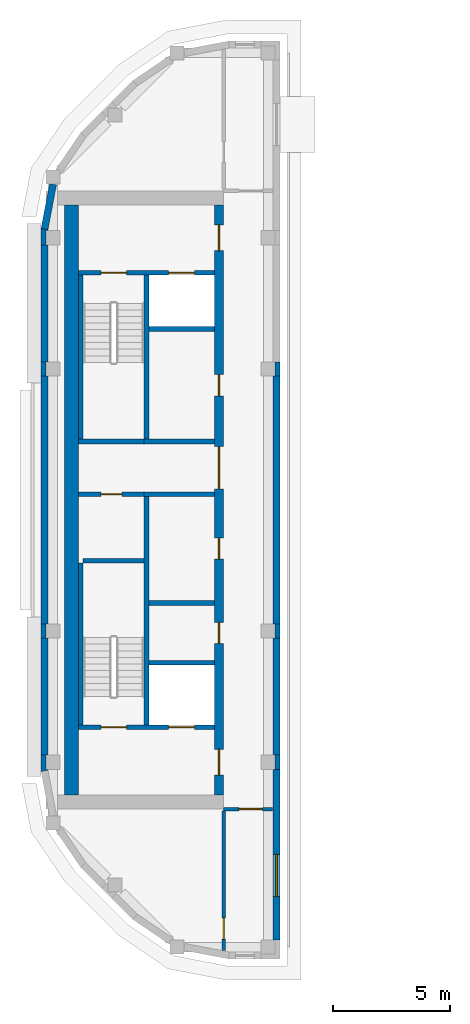
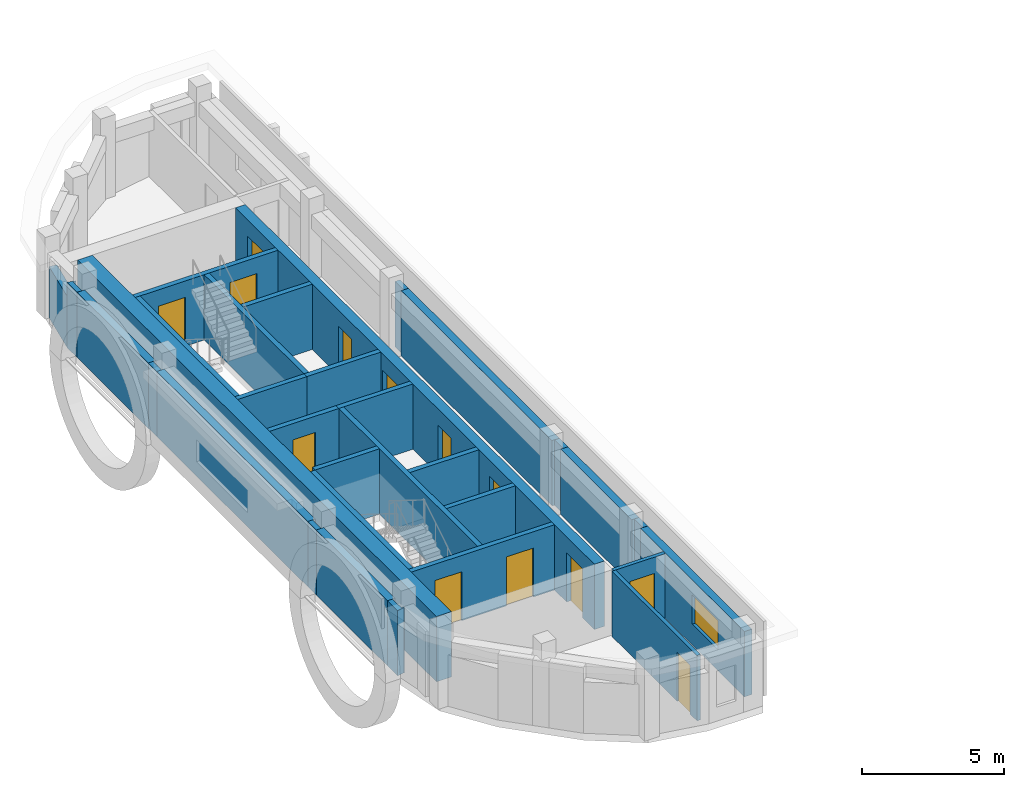
# One storey, part 2 of 12: 32 walls, 13 doors, 1 window, 14 openings.
"""IFC4 building model written with IfcOpenShell, lengths in metres."""

from ifc_helpers import new_model, si_unit, direction, frame, frame_2d, origin, place, context, subcontext, project, spatial, polyline, rectangle, outline, extrude, material, layer, layer_set, type_object, element, fill, save


model = new_model("IFC4")

# Units and contexts
model_context = context("Model", 3, precision=1e-05, world=origin(), true_north=direction((0.0, 1.0)))
body_context = subcontext(model_context, "Body", "Model", "MODEL_VIEW")
ifc_project = project(units=[si_unit("LENGTHUNIT", "METRE"), si_unit("AREAUNIT", "SQUARE_METRE"), si_unit("VOLUMEUNIT", "CUBIC_METRE"), si_unit("PLANEANGLEUNIT", "RADIAN"), si_unit("MASSUNIT", "GRAM", prefix="KILO")], contexts=[model_context])

# Site, building, storey
site_placement = place(None, origin())
site = spatial("IfcSite", under=ifc_project, at=site_placement, CompositionType="ELEMENT")
building_placement = place(site_placement, origin())
building = spatial("IfcBuilding", under=site, at=building_placement, Name="Kiln Ring Residences", CompositionType="ELEMENT")
storey_placement = place(building_placement, frame((0.0, 0.0, 310.39990234375)))
storey = spatial("IfcBuildingStorey", under=building, at=storey_placement, Name="L80 Crown", CompositionType="ELEMENT", Elevation=310.39990234375)

# Wall, opening, door
ifc_material_1 = material(Name="Gypsum board on steel studs", Category="steel")
ifc_layer_1 = layer(ifc_material_1, 0.199951171875)
ifc_layer_set_1 = layer_set([ifc_layer_1], Name="CORE-PARTITION-200")
wall_type_1 = type_object("IfcWallType", Name="CORE-PARTITION-200", PredefinedType="PARTITIONING", material=ifc_layer_set_1)
wall_1_placement = place(storey_placement, frame((-20.800048828125, 0.25, 0.0), z_axis=(0.0, 0.0, 1.0), x_axis=(-1.0, 0.0, 0.0)))
wall_1 = element("IfcWall", 1, at=wall_1_placement, inside=storey, type_object=wall_type_1, Name="Core partition west L80 Crown 1", PredefinedType="PARTITIONING", context=body_context, shape_type="SweptSolid", body=[
    extrude(rectangle(XDim=2.800048828125, YDim=0.199951171875, at=frame_2d((1.39990234375, 0.0))), origin(), (0.0, 0.0, 1.0), 2.800048828125),
])
opening_1_placement = place(wall_1_placement, frame((0.949951171875, 0.0, 0.0)))
opening_1 = element("IfcOpeningElement", 2, at=opening_1_placement, cuts=wall_1, Name="Opening L80-CW11", PredefinedType="OPENING", context=body_context, shape_type="SweptSolid", body=[
    extrude(rectangle(XDim=0.89990234375, YDim=2.10009765625, at=frame_2d((0.449951171875, 1.050048828125))), frame((0.0, 0.10986328125, 0.0), z_axis=(0.0, -1.0, 0.0), x_axis=(1.0, 0.0, 0.0)), (0.0, 0.0, 1.0), 0.219970703125),
])
ifc_material_2 = material(Name="Steel door leaf", Category="steel")
door_type_1 = type_object("IfcDoorType", Name="CORE-DOOR-ROOM", OperationType="SINGLE_SWING_LEFT", PredefinedType="DOOR", material=ifc_material_2)
door_1_placement = place(opening_1_placement, origin())
door_1 = element("IfcDoor", 3, at=door_1_placement, inside=storey, type_object=door_type_1, Name="Electrical riser room L80-CW11", OperationType="SINGLE_SWING_LEFT", OverallHeight=2.10009765625, OverallWidth=0.89990234375, PredefinedType="DOOR", context=body_context, shape_type="SweptSolid", body=[
    extrude(rectangle(XDim=0.89990234375, YDim=2.10009765625, at=frame_2d((0.449951171875, 1.050048828125))), frame((0.0, 0.02490234375, 0.0), z_axis=(0.0, -1.0, 0.0), x_axis=(1.0, 0.0, 0.0)), (0.0, 0.0, 1.0), 0.050048828125),
])
fill(opening_1, door_1)

# Walls
wall_2_placement = place(storey_placement, frame((-17.800048828125, -4.39990234375, 0.0), z_axis=(0.0, 0.0, 1.0), x_axis=(-1.0, 0.0, 0.0)))
element("IfcWall", 4, at=wall_2_placement, inside=storey, type_object=wall_type_1, Name="Core partition west L80 Crown 2", PredefinedType="PARTITIONING", context=body_context, shape_type="SweptSolid", body=[
    extrude(rectangle(XDim=2.800048828125, YDim=0.199951171875, at=frame_2d((1.39990234375, 0.0))), origin(), (0.0, 0.0, 1.0), 2.800048828125),
])
ifc_material_3 = material(Name="Gypsum shaft wall system")
ifc_layer_2 = layer(ifc_material_3, 0.199951171875)
ifc_layer_set_2 = layer_set([ifc_layer_2], Name="CORE-SHAFT-WALL-200")
wall_type_2 = type_object("IfcWallType", Name="CORE-SHAFT-WALL-200", PredefinedType="PARTITIONING", material=ifc_layer_set_2)
wall_3_placement = place(storey_placement, frame((-17.800048828125, -6.949951171875, 0.0), z_axis=(0.0, 0.0, 1.0), x_axis=(-1.0, 0.0, 0.0)))
element("IfcWall", 5, at=wall_3_placement, inside=storey, type_object=wall_type_2, Name="Core partition west L80 Crown 3", PredefinedType="PARTITIONING", context=body_context, shape_type="SweptSolid", body=[
    extrude(rectangle(XDim=2.800048828125, YDim=0.199951171875, at=frame_2d((1.39990234375, 0.0))), origin(), (0.0, 0.0, 1.0), 2.800048828125),
])
for number, where, z_axis, x_axis, name in (
    (6, (-17.800048828125, 0.25, 0.0), (0.0, 0.0, 1.0), (-1.0, 0.0, 0.0), "Core partition west L80 Crown 4"),
    (7, (-17.800048828125, 2.5, 0.0), (0.0, 0.0, 1.0), (-1.0, 0.0, 0.0), "Core partition west L80 Crown 5"),
):
    element("IfcWall", number, at=place(storey_placement, frame(where, z_axis=z_axis, x_axis=x_axis)), inside=storey, type_object=wall_type_2, Name=name, PredefinedType="PARTITIONING", context=body_context, shape_type="SweptSolid", body=[
        extrude(rectangle(XDim=3.0, YDim=0.199951171875, at=frame_2d((1.5, 0.0))), origin(), (0.0, 0.0, 1.0), 2.800048828125),
    ])
wall_4_placement = place(storey_placement, frame((-17.800048828125, 7.300048828125, 0.0), z_axis=(0.0, 0.0, 1.0), x_axis=(-1.0, 0.0, 0.0)))
element("IfcWall", 8, at=wall_4_placement, inside=storey, type_object=wall_type_2, Name="Core partition west L80 Crown 6", PredefinedType="PARTITIONING", context=body_context, shape_type="SweptSolid", body=[
    extrude(rectangle(XDim=2.800048828125, YDim=0.199951171875, at=frame_2d((1.39990234375, 0.0))), origin(), (0.0, 0.0, 1.0), 2.800048828125),
])
ifc_material_4 = material(Name="Concrete C40/50", Category="concrete")
ifc_layer_3 = layer(ifc_material_4, 0.199951171875)
ifc_layer_set_3 = layer_set([ifc_layer_3], Name="CORE-WALL-RC200")
wall_type_3 = type_object("IfcWallType", Name="CORE-WALL-RC200", PredefinedType="SHEAR", material=ifc_layer_set_3)
wall_5_placement = place(storey_placement, frame((-20.699951171875, 2.60009765625, 0.0), z_axis=(0.0, 0.0, 1.0), x_axis=(0.0, 1.0, 0.0)))
element("IfcWall", 9, at=wall_5_placement, inside=storey, type_object=wall_type_3, Name="Core wall west L80 Crown 1", PredefinedType="SHEAR", context=body_context, shape_type="SweptSolid", body=[
    extrude(rectangle(XDim=7.0, YDim=0.199951171875, at=frame_2d((3.5, 0.0))), origin(), (0.0, 0.0, 1.0), 2.800048828125),
])
wall_6_placement = place(storey_placement, frame((-20.699951171875, -9.60009765625, 0.0), z_axis=(0.0, 0.0, 1.0), x_axis=(0.0, 1.0, 0.0)))
element("IfcWall", 10, at=wall_6_placement, inside=storey, type_object=wall_type_3, Name="Core wall west L80 Crown 2", PredefinedType="SHEAR", context=body_context, shape_type="SweptSolid", body=[
    extrude(rectangle(XDim=9.75, YDim=0.199951171875, at=frame_2d((4.875, 0.0))), origin(), (0.0, 0.0, 1.0), 2.800048828125),
])
wall_7_placement = place(storey_placement, frame((-20.800048828125, 2.5, 0.0), z_axis=(0.0, 0.0, 1.0), x_axis=(-1.0, 0.0, 0.0)))
element("IfcWall", 11, at=wall_7_placement, inside=storey, type_object=wall_type_3, Name="Core wall west L80 Crown 3", PredefinedType="SHEAR", context=body_context, shape_type="SweptSolid", body=[
    extrude(rectangle(XDim=2.800048828125, YDim=0.199951171875, at=frame_2d((1.39990234375, 0.0))), origin(), (0.0, 0.0, 1.0), 2.800048828125),
])

# Wall, openings, doors
wall_8_placement = place(storey_placement, frame((-17.800048828125, -9.699951171875, 0.0), z_axis=(0.0, 0.0, 1.0), x_axis=(-1.0, 0.0, 0.0)))
wall_8 = element("IfcWall", 12, at=wall_8_placement, inside=storey, type_object=wall_type_3, Name="Core wall west L80 Crown 8", PredefinedType="SHEAR", context=body_context, shape_type="SweptSolid", body=[
    extrude(rectangle(XDim=5.800048828125, YDim=0.199951171875, at=frame_2d((2.89990234375, 0.0))), origin(), (0.0, 0.0, 1.0), 2.800048828125),
])
opening_2_placement = place(wall_8_placement, frame((0.85009765625, 0.0, 0.0)))
opening_2 = element("IfcOpeningElement", 13, at=opening_2_placement, cuts=wall_8, Name="Opening L80-CW01", PredefinedType="OPENING", context=body_context, shape_type="SweptSolid", body=[
    extrude(rectangle(XDim=1.10009765625, YDim=2.10009765625, at=frame_2d((0.550048828125, 1.050048828125))), frame((0.0, 0.10986328125, 0.0), z_axis=(0.0, -1.0, 0.0), x_axis=(1.0, 0.0, 0.0)), (0.0, 0.0, 1.0), 0.219970703125),
])
opening_3_placement = place(wall_8_placement, frame((3.75, 0.0, 0.0)))
opening_3 = element("IfcOpeningElement", 14, at=opening_3_placement, cuts=wall_8, Name="Opening L80-CW09", PredefinedType="OPENING", context=body_context, shape_type="SweptSolid", body=[
    extrude(rectangle(XDim=1.10009765625, YDim=2.10009765625, at=frame_2d((0.550048828125, 1.050048828125))), frame((0.0, 0.10986328125, 0.0), z_axis=(0.0, -1.0, 0.0), x_axis=(1.0, 0.0, 0.0)), (0.0, 0.0, 1.0), 0.219970703125),
])
ifc_material_5 = material(Name="Steel door leaf", Category="steel")
door_type_2 = type_object("IfcDoorType", Name="CORE-DOOR-LD", OperationType="DOUBLE_DOOR_SLIDING", PredefinedType="DOOR", material=ifc_material_5)
door_2_placement = place(opening_2_placement, origin())
door_2 = element("IfcDoor", 15, at=door_2_placement, inside=storey, type_object=door_type_2, Name="LD W-SV L80-CW01", OperationType="DOUBLE_DOOR_SLIDING", OverallHeight=2.10009765625, OverallWidth=1.10009765625, PredefinedType="DOOR", context=body_context, shape_type="SweptSolid", body=[
    extrude(rectangle(XDim=1.10009765625, YDim=2.10009765625, at=frame_2d((0.550048828125, 1.050048828125))), frame((0.0, 0.02490234375, 0.0), z_axis=(0.0, -1.0, 0.0), x_axis=(1.0, 0.0, 0.0)), (0.0, 0.0, 1.0), 0.050048828125),
])
fill(opening_2, door_2)
ifc_material_6 = material(Name="Steel door leaf", Category="steel")
door_type_3 = type_object("IfcDoorType", Name="CORE-DOOR-STAIR", OperationType="SINGLE_SWING_LEFT", PredefinedType="DOOR", material=ifc_material_6)
door_3_placement = place(opening_3_placement, origin())
door_3 = element("IfcDoor", 16, at=door_3_placement, inside=storey, type_object=door_type_3, Name="Stair W-STS L80-CW09", OperationType="SINGLE_SWING_RIGHT", OverallHeight=2.10009765625, OverallWidth=1.10009765625, PredefinedType="DOOR", context=body_context, shape_type="SweptSolid", body=[
    extrude(rectangle(XDim=1.10009765625, YDim=2.10009765625, at=frame_2d((0.550048828125, 1.050048828125))), frame((0.0, 0.02490234375, 0.0), z_axis=(0.0, -1.0, 0.0), x_axis=(1.0, 0.0, 0.0)), (0.0, 0.0, 1.0), 0.050048828125),
])
fill(opening_3, door_3)

wall_9_placement = place(storey_placement, frame((-17.800048828125, 9.699951171875, 0.0), z_axis=(0.0, 0.0, 1.0), x_axis=(-1.0, 0.0, 0.0)))
wall_9 = element("IfcWall", 17, at=wall_9_placement, inside=storey, type_object=wall_type_3, Name="Core wall west L80 Crown 9", PredefinedType="SHEAR", context=body_context, shape_type="SweptSolid", body=[
    extrude(rectangle(XDim=5.800048828125, YDim=0.199951171875, at=frame_2d((2.89990234375, 0.0))), origin(), (0.0, 0.0, 1.0), 2.800048828125),
])
opening_4_placement = place(wall_9_placement, frame((0.85009765625, 0.0, 0.0)))
opening_4 = element("IfcOpeningElement", 18, at=opening_4_placement, cuts=wall_9, Name="Opening L80-CW05", PredefinedType="OPENING", context=body_context, shape_type="SweptSolid", body=[
    extrude(rectangle(XDim=1.10009765625, YDim=2.10009765625, at=frame_2d((0.550048828125, 1.050048828125))), frame((0.0, 0.10986328125, 0.0), z_axis=(0.0, -1.0, 0.0), x_axis=(1.0, 0.0, 0.0)), (0.0, 0.0, 1.0), 0.219970703125),
])
opening_5_placement = place(wall_9_placement, frame((3.75, 0.0, 0.0)))
opening_5 = element("IfcOpeningElement", 19, at=opening_5_placement, cuts=wall_9, Name="Opening L80-CW08", PredefinedType="OPENING", context=body_context, shape_type="SweptSolid", body=[
    extrude(rectangle(XDim=1.10009765625, YDim=2.10009765625, at=frame_2d((0.550048828125, 1.050048828125))), frame((0.0, 0.10986328125, 0.0), z_axis=(0.0, -1.0, 0.0), x_axis=(1.0, 0.0, 0.0)), (0.0, 0.0, 1.0), 0.219970703125),
])
door_4_placement = place(opening_4_placement, origin())
door_4 = element("IfcDoor", 20, at=door_4_placement, inside=storey, type_object=door_type_2, Name="LD W-FF L80-CW05", OperationType="DOUBLE_DOOR_SLIDING", OverallHeight=2.10009765625, OverallWidth=1.10009765625, PredefinedType="DOOR", context=body_context, shape_type="SweptSolid", body=[
    extrude(rectangle(XDim=1.10009765625, YDim=2.10009765625, at=frame_2d((0.550048828125, 1.050048828125))), frame((0.0, 0.02490234375, 0.0), z_axis=(0.0, -1.0, 0.0), x_axis=(1.0, 0.0, 0.0)), (0.0, 0.0, 1.0), 0.050048828125),
])
fill(opening_4, door_4)
door_5_placement = place(opening_5_placement, origin())
door_5 = element("IfcDoor", 21, at=door_5_placement, inside=storey, type_object=door_type_3, Name="Stair W-STN L80-CW08", OperationType="SINGLE_SWING_RIGHT", OverallHeight=2.10009765625, OverallWidth=1.10009765625, PredefinedType="DOOR", context=body_context, shape_type="SweptSolid", body=[
    extrude(rectangle(XDim=1.10009765625, YDim=2.10009765625, at=frame_2d((0.550048828125, 1.050048828125))), frame((0.0, 0.02490234375, 0.0), z_axis=(0.0, -1.0, 0.0), x_axis=(1.0, 0.0, 0.0)), (0.0, 0.0, 1.0), 0.050048828125),
])
fill(opening_5, door_5)

# Walls
wall_10_placement = place(storey_placement, frame((-23.5, 2.60009765625, 0.0), z_axis=(0.0, 0.0, 1.0), x_axis=(0.0, 1.0, 0.0)))
element("IfcWall", 22, at=wall_10_placement, inside=storey, type_object=wall_type_3, Name="Core wall west L80 Crown 10", PredefinedType="SHEAR", context=body_context, shape_type="SweptSolid", body=[
    extrude(rectangle(XDim=7.0, YDim=0.199951171875, at=frame_2d((3.5, 0.0))), origin(), (0.0, 0.0, 1.0), 2.800048828125),
])
wall_11_placement = place(storey_placement, frame((-23.5, -9.60009765625, 0.0), z_axis=(0.0, 0.0, 1.0), x_axis=(0.0, 1.0, 0.0)))
element("IfcWall", 23, at=wall_11_placement, inside=storey, type_object=wall_type_3, Name="Core wall west L80 Crown 11", PredefinedType="SHEAR", context=body_context, shape_type="SweptSolid", body=[
    extrude(rectangle(XDim=6.900146484375, YDim=0.199951171875, at=frame_2d((3.4501953125, 0.0))), origin(), (0.0, 0.0, 1.0), 2.800048828125),
])
wall_12_placement = place(storey_placement, frame((-20.800048828125, -2.60009765625, 0.0), z_axis=(0.0, 0.0, 1.0), x_axis=(-1.0, 0.0, 0.0)))
element("IfcWall", 24, at=wall_12_placement, inside=storey, type_object=wall_type_3, Name="Core wall west L80 Crown 12", PredefinedType="SHEAR", context=body_context, shape_type="SweptSolid", body=[
    extrude(rectangle(XDim=2.599853515625, YDim=0.199951171875, at=frame_2d((1.2998046875, 0.0))), origin(), (0.0, 0.0, 1.0), 2.800048828125),
])

# Wall, openings, doors
ifc_material_7 = material(Name="Concrete C60/75", Category="concrete")
ifc_layer_4 = layer(ifc_material_7, 0.39990234375)
ifc_layer_set_4 = layer_set([ifc_layer_4], Name="CORE-WALL-RC400")
wall_type_4 = type_object("IfcWallType", Name="CORE-WALL-RC400", PredefinedType="SHEAR", material=ifc_layer_set_4)
wall_13_placement = place(storey_placement, frame((-17.60009765625, -12.60009765625, 0.0), z_axis=(0.0, 0.0, 1.0), x_axis=(0.0, 1.0, 0.0)))
wall_13 = element("IfcWall", 25, at=wall_13_placement, inside=storey, type_object=wall_type_4, Name="Core wall west L80 Crown 6", PredefinedType="SHEAR", context=body_context, shape_type="SweptSolid", body=[
    extrude(rectangle(XDim=25.2001953125, YDim=0.39990234375, at=frame_2d((12.60009765625, 0.0))), origin(), (0.0, 0.0, 1.0), 2.800048828125),
])
opening_6_placement = place(wall_13_placement, frame((6.47509765625, 0.0, 0.0)))
opening_6 = element("IfcOpeningElement", 26, at=opening_6_placement, cuts=wall_13, Name="Opening L80-CW02", PredefinedType="OPENING", context=body_context, shape_type="SweptSolid", body=[
    extrude(rectangle(XDim=0.89990234375, YDim=2.10009765625, at=frame_2d((0.449951171875, 1.050048828125))), frame((0.0, 0.2099609375, 0.0), z_axis=(0.0, -1.0, 0.0), x_axis=(1.0, 0.0, 0.0)), (0.0, 0.0, 1.0), 0.419921875),
])
opening_7_placement = place(wall_13_placement, frame((10.074951171875, 0.0, 0.0)))
opening_7 = element("IfcOpeningElement", 27, at=opening_7_placement, cuts=wall_13, Name="Opening L80-CW03", PredefinedType="OPENING", context=body_context, shape_type="SweptSolid", body=[
    extrude(rectangle(XDim=0.89990234375, YDim=2.10009765625, at=frame_2d((0.449951171875, 1.050048828125))), frame((0.0, 0.2099609375, 0.0), z_axis=(0.0, -1.0, 0.0), x_axis=(1.0, 0.0, 0.0)), (0.0, 0.0, 1.0), 0.419921875),
])
opening_8_placement = place(wall_13_placement, frame((17.050048828125, 0.0, 0.0)))
opening_8 = element("IfcOpeningElement", 28, at=opening_8_placement, cuts=wall_13, Name="Opening L80-CW04", PredefinedType="OPENING", context=body_context, shape_type="SweptSolid", body=[
    extrude(rectangle(XDim=0.89990234375, YDim=2.10009765625, at=frame_2d((0.449951171875, 1.050048828125))), frame((0.0, 0.2099609375, 0.0), z_axis=(0.0, -1.0, 0.0), x_axis=(1.0, 0.0, 0.0)), (0.0, 0.0, 1.0), 0.419921875),
])
opening_9_placement = place(wall_13_placement, frame((23.25, 0.0, 0.0)))
opening_9 = element("IfcOpeningElement", 29, at=opening_9_placement, cuts=wall_13, Name="Opening L80-CW06", PredefinedType="OPENING", context=body_context, shape_type="SweptSolid", body=[
    extrude(rectangle(XDim=1.10009765625, YDim=2.10009765625, at=frame_2d((0.550048828125, 1.050048828125))), frame((0.0, 0.2099609375, 0.0), z_axis=(0.0, -1.0, 0.0), x_axis=(1.0, 0.0, 0.0)), (0.0, 0.0, 1.0), 0.419921875),
])
opening_10_placement = place(wall_13_placement, frame((0.85009765625, 0.0, 0.0)))
opening_10 = element("IfcOpeningElement", 30, at=opening_10_placement, cuts=wall_13, Name="Opening L80-CW07", PredefinedType="OPENING", context=body_context, shape_type="SweptSolid", body=[
    extrude(rectangle(XDim=1.10009765625, YDim=2.10009765625, at=frame_2d((0.550048828125, 1.050048828125))), frame((0.0, 0.2099609375, 0.0), z_axis=(0.0, -1.0, 0.0), x_axis=(1.0, 0.0, 0.0)), (0.0, 0.0, 1.0), 0.419921875),
])
opening_11_placement = place(wall_13_placement, frame((13.074951171875, 0.0, 0.0)))
opening_11 = element("IfcOpeningElement", 31, at=opening_11_placement, cuts=wall_13, Name="Opening L80-CW10", PredefinedType="OPENING", context=body_context, shape_type="SweptSolid", body=[
    extrude(rectangle(XDim=1.800048828125, YDim=2.10009765625, at=frame_2d((0.89990234375, 1.050048828125))), frame((0.0, 0.2099609375, 0.0), z_axis=(0.0, -1.0, 0.0), x_axis=(1.0, 0.0, 0.0)), (0.0, 0.0, 1.0), 0.419921875),
])
ifc_material_8 = material(Name="Steel door leaf", Category="steel")
door_type_4 = type_object("IfcDoorType", Name="CORE-DOOR-LOBBY", OperationType="SINGLE_SWING_LEFT", PredefinedType="DOOR", material=ifc_material_8)
door_6_placement = place(opening_9_placement, origin())
door_6 = element("IfcDoor", 32, at=door_6_placement, inside=storey, type_object=door_type_4, Name="FFL L80-CW06", OperationType="SINGLE_SWING_LEFT", OverallHeight=2.10009765625, OverallWidth=1.10009765625, PredefinedType="DOOR", context=body_context, shape_type="SweptSolid", body=[
    extrude(rectangle(XDim=1.10009765625, YDim=2.10009765625, at=frame_2d((0.550048828125, 1.050048828125))), frame((0.0, 0.02490234375, 0.0), z_axis=(0.0, -1.0, 0.0), x_axis=(1.0, 0.0, 0.0)), (0.0, 0.0, 1.0), 0.050048828125),
])
fill(opening_9, door_6)
door_7_placement = place(opening_10_placement, origin())
door_7 = element("IfcDoor", 33, at=door_7_placement, inside=storey, type_object=door_type_4, Name="SVL L80-CW07", OperationType="SINGLE_SWING_RIGHT", OverallHeight=2.10009765625, OverallWidth=1.10009765625, PredefinedType="DOOR", context=body_context, shape_type="SweptSolid", body=[
    extrude(rectangle(XDim=1.10009765625, YDim=2.10009765625, at=frame_2d((0.550048828125, 1.050048828125))), frame((0.0, 0.02490234375, 0.0), z_axis=(0.0, -1.0, 0.0), x_axis=(1.0, 0.0, 0.0)), (0.0, 0.0, 1.0), 0.050048828125),
])
fill(opening_10, door_7)
ifc_material_9 = material(Name="Steel door leaf", Category="steel")
door_type_5 = type_object("IfcDoorType", Name="CORE-DOOR-PASS", OperationType="DOUBLE_DOOR_SINGLE_SWING", PredefinedType="DOOR", material=ifc_material_9)
door_8_placement = place(opening_11_placement, origin())
door_8 = element("IfcDoor", 34, at=door_8_placement, inside=storey, type_object=door_type_5, Name="Core passage L80-CW10", OperationType="DOUBLE_DOOR_SINGLE_SWING", OverallHeight=2.10009765625, OverallWidth=1.800048828125, PredefinedType="DOOR", context=body_context, shape_type="SweptSolid", body=[
    extrude(rectangle(XDim=1.800048828125, YDim=2.10009765625, at=frame_2d((0.89990234375, 1.050048828125))), frame((0.0, 0.02490234375, 0.0), z_axis=(0.0, -1.0, 0.0), x_axis=(1.0, 0.0, 0.0)), (0.0, 0.0, 1.0), 0.050048828125),
])
fill(opening_11, door_8)
door_9_placement = place(opening_6_placement, origin())
door_9 = element("IfcDoor", 35, at=door_9_placement, inside=storey, type_object=door_type_1, Name="Goods store L80-CW02", OperationType="SINGLE_SWING_RIGHT", OverallHeight=2.10009765625, OverallWidth=0.89990234375, PredefinedType="DOOR", context=body_context, shape_type="SweptSolid", body=[
    extrude(rectangle(XDim=0.89990234375, YDim=2.10009765625, at=frame_2d((0.449951171875, 1.050048828125))), frame((0.0, 0.02490234375, 0.0), z_axis=(0.0, -1.0, 0.0), x_axis=(1.0, 0.0, 0.0)), (0.0, 0.0, 1.0), 0.050048828125),
])
fill(opening_6, door_9)
door_10_placement = place(opening_7_placement, origin())
door_10 = element("IfcDoor", 36, at=door_10_placement, inside=storey, type_object=door_type_1, Name="Storage room L80-CW03", OperationType="SINGLE_SWING_LEFT", OverallHeight=2.10009765625, OverallWidth=0.89990234375, PredefinedType="DOOR", context=body_context, shape_type="SweptSolid", body=[
    extrude(rectangle(XDim=0.89990234375, YDim=2.10009765625, at=frame_2d((0.449951171875, 1.050048828125))), frame((0.0, 0.02490234375, 0.0), z_axis=(0.0, -1.0, 0.0), x_axis=(1.0, 0.0, 0.0)), (0.0, 0.0, 1.0), 0.050048828125),
])
fill(opening_7, door_10)
door_11_placement = place(opening_8_placement, origin())
door_11 = element("IfcDoor", 37, at=door_11_placement, inside=storey, type_object=door_type_1, Name="Housekeeping store L80-CW04", OperationType="SINGLE_SWING_RIGHT", OverallHeight=2.10009765625, OverallWidth=0.89990234375, PredefinedType="DOOR", context=body_context, shape_type="SweptSolid", body=[
    extrude(rectangle(XDim=0.89990234375, YDim=2.10009765625, at=frame_2d((0.449951171875, 1.050048828125))), frame((0.0, 0.02490234375, 0.0), z_axis=(0.0, -1.0, 0.0), x_axis=(1.0, 0.0, 0.0)), (0.0, 0.0, 1.0), 0.050048828125),
])
fill(opening_8, door_11)

# Wall
ifc_material_10 = material(Name="Concrete C60/75", Category="concrete")
ifc_layer_5 = layer(ifc_material_10, 0.60009765625)
ifc_layer_set_5 = layer_set([ifc_layer_5], Name="CORE-WALL-RC600")
wall_type_5 = type_object("IfcWallType", Name="CORE-WALL-RC600", PredefinedType="SHEAR", material=ifc_layer_set_5)
wall_14_placement = place(storey_placement, frame((-23.89990234375, -12.60009765625, 0.0), z_axis=(0.0, 0.0, 1.0), x_axis=(0.0, 1.0, 0.0)))
element("IfcWall", 38, at=wall_14_placement, inside=storey, type_object=wall_type_5, Name="Core wall west L80 Crown 7", PredefinedType="SHEAR", context=body_context, shape_type="SweptSolid", body=[
    extrude(rectangle(XDim=25.2001953125, YDim=0.60009765625, at=frame_2d((12.60009765625, 0.0))), origin(), (0.0, 0.0, 1.0), 2.800048828125),
])

# Wall, opening, window
ifc_material_11 = material(Name="Brick masonry, dark clay brick", Category="masonry")
ifc_layer_6 = layer(ifc_material_11, 0.300048828125)
ifc_layer_set_6 = layer_set([ifc_layer_6], Name="EW-300 BRICK WALL")
wall_type_6 = type_object("IfcWallType", Name="EW-300 BRICK WALL", PredefinedType="SOLIDWALL", material=ifc_layer_set_6)
wall_15_placement = place(storey_placement, frame((-15.14990234375, -18.800048828125, 0.0), z_axis=(0.0, 0.0, 1.0), x_axis=(0.0, 1.0, 0.0)))
wall_15 = element("IfcWall", 39, at=wall_15_placement, inside=storey, type_object=wall_type_6, Name="Facade wall L80 Crown 4", PredefinedType="SOLIDWALL", context=body_context, shape_type="SweptSolid", body=[
    extrude(rectangle(XDim=7.300048828125, YDim=0.300048828125, at=frame_2d((3.64990234375, 0.0))), origin(), (0.0, 0.0, 1.0), 2.800048828125),
])
opening_12_placement = place(wall_15_placement, frame((1.862548828125, 0.0, 0.89990234375)))
opening_12 = element("IfcOpeningElement", 40, at=opening_12_placement, cuts=wall_15, Name="Opening W2", PredefinedType="OPENING", context=body_context, shape_type="SweptSolid", body=[
    extrude(rectangle(XDim=1.800048828125, YDim=1.25, at=frame_2d((0.89990234375, 0.625))), frame((0.0, 0.159912109375, 0.0), z_axis=(0.0, -1.0, 0.0), x_axis=(1.0, 0.0, 0.0)), (0.0, 0.0, 1.0), 0.320068359375),
])
ifc_material_12 = material(Name="Aluminium frame with double glazing", Category="aluminium")
window_type = type_object("IfcWindowType", Name="WINDOW 1800 x 1250", PartitioningType="SINGLE_PANEL", PredefinedType="WINDOW", material=ifc_material_12)
window_placement = place(opening_12_placement, origin())
window = element("IfcWindow", 41, at=window_placement, inside=storey, type_object=window_type, Name="Window L80 Crown 2", OverallHeight=1.25, OverallWidth=1.800048828125, PartitioningType="SINGLE_PANEL", PredefinedType="WINDOW", context=body_context, shape_type="SweptSolid", body=[
    extrude(rectangle(XDim=1.800048828125, YDim=1.25, at=frame_2d((0.89990234375, 0.625))), frame((0.0, 0.030029296875, 0.0), z_axis=(0.0, -1.0, 0.0), x_axis=(1.0, 0.0, 0.0)), (0.0, 0.0, 1.0), 0.06005859375),
])
fill(opening_12, window)

# Walls
wall_16_placement = place(storey_placement, frame((-15.14990234375, -10.89990234375, 0.0), z_axis=(0.0, 0.0, 1.0), x_axis=(0.0, 1.0, 0.0)))
element("IfcWall", 42, at=wall_16_placement, inside=storey, type_object=wall_type_6, Name="Facade wall L80 Crown 5", PredefinedType="SOLIDWALL", context=body_context, shape_type="SweptSolid", body=[
    extrude(rectangle(XDim=5.0, YDim=0.300048828125, at=frame_2d((2.5, 0.0))), origin(), (0.0, 0.0, 1.0), 2.800048828125),
])
wall_17_placement = place(storey_placement, frame((-15.14990234375, -5.300048828125, 0.0), z_axis=(0.0, 0.0, 1.0), x_axis=(0.0, 1.0, 0.0)))
element("IfcWall", 43, at=wall_17_placement, inside=storey, type_object=wall_type_6, Name="Facade wall L80 Crown 6", PredefinedType="SOLIDWALL", context=body_context, shape_type="SweptSolid", body=[
    extrude(rectangle(XDim=10.60009765625, YDim=0.300048828125, at=frame_2d((5.300048828125, 0.0))), origin(), (0.0, 0.0, 1.0), 2.800048828125),
])
wall_18_placement = place(storey_placement, frame((-24.687744140625, 13.485107421875, 0.0), z_axis=(0.0, 0.0, 1.0), x_axis=(-0.187354129902, -0.982292436095, 0.0)))
element("IfcWall", 44, at=wall_18_placement, inside=storey, type_object=wall_type_6, Name="Facade wall L80 Crown 15", PredefinedType="SOLIDWALL", context=body_context, shape_type="SweptSolid", body=[
    extrude(rectangle(XDim=1.94677734375, YDim=0.300048828125, at=frame_2d((0.973388671875, 0.0))), origin(), (0.0, 0.0, 1.0), 2.2001953125),
])
wall_19_placement = place(storey_placement, frame((-25.050048828125, 10.89990234375, 0.0), z_axis=(0.0, 0.0, 1.0), x_axis=(0.0, -1.0, 0.0)))
element("IfcWall", 45, at=wall_19_placement, inside=storey, type_object=wall_type_6, Name="Facade wall L80 Crown 16", PredefinedType="SOLIDWALL", context=body_context, shape_type="SweptSolid", body=[
    extrude(rectangle(XDim=5.0, YDim=0.300048828125, at=frame_2d((2.5, 0.0))), origin(), (0.0, 0.0, 1.0), 2.800048828125),
])
wall_20_placement = place(storey_placement, frame((-25.050048828125, 5.300048828125, 0.0), z_axis=(0.0, 0.0, 1.0), x_axis=(0.0, -1.0, 0.0)))
element("IfcWall", 46, at=wall_20_placement, inside=storey, type_object=wall_type_6, Name="Facade wall L80 Crown 17", PredefinedType="SOLIDWALL", context=body_context, shape_type="SweptSolid", body=[
    extrude(rectangle(XDim=10.60009765625, YDim=0.300048828125, at=frame_2d((5.300048828125, 0.0))), origin(), (0.0, 0.0, 1.0), 2.800048828125),
])
wall_21_placement = place(storey_placement, frame((-25.050048828125, -5.89990234375, 0.0), z_axis=(0.0, 0.0, 1.0), x_axis=(0.0, -1.0, 0.0)))
element("IfcWall", 47, at=wall_21_placement, inside=storey, type_object=wall_type_6, Name="Facade wall L80 Crown 18", PredefinedType="SOLIDWALL", context=body_context, shape_type="SweptSolid", body=[
    extrude(rectangle(XDim=5.0, YDim=0.300048828125, at=frame_2d((2.5, 0.0))), origin(), (0.0, 0.0, 1.0), 2.800048828125),
])
placement = place(storey_placement, origin())
element("IfcWall", 48, at=placement, inside=storey, type_object=wall_type_6, Name="Corner wall L80 Crown 1", PredefinedType="SOLIDWALL", context=body_context, shape_type="SweptSolid", body=[
    extrude(outline(polyline([(-25.199951171875, -10.89990234375), (-25.199951171875, -11.600830078125), (-24.9033203125, -11.544189453125), (-24.89990234375, -11.56103515625), (-24.89990234375, -11.5), (-25.0, -11.5), (-25.0, -10.89990234375), (-25.199951171875, -10.89990234375)])), origin(), (0.0, 0.0, 1.0), 2.800048828125),
])
element("IfcWall", 49, at=placement, inside=storey, type_object=wall_type_6, Name="Corner wall L80 Crown 2", PredefinedType="SOLIDWALL", context=body_context, shape_type="SweptSolid", body=[
    extrude(outline(polyline([(-25.0, -5.300048828125), (-25.199951171875, -5.300048828125), (-25.199951171875, -5.89990234375), (-24.89990234375, -5.89990234375), (-25.0, -5.89990234375), (-25.0, -5.300048828125)])), origin(), (0.0, 0.0, 1.0), 2.800048828125),
])
element("IfcWall", 50, at=placement, inside=storey, type_object=wall_type_6, Name="Corner wall L80 Crown 3", PredefinedType="SOLIDWALL", context=body_context, shape_type="SweptSolid", body=[
    extrude(outline(polyline([(-25.0, 5.89990234375), (-25.199951171875, 5.89990234375), (-25.199951171875, 5.300048828125), (-25.0, 5.300048828125), (-25.0, 5.89990234375)])), origin(), (0.0, 0.0, 1.0), 2.800048828125),
])
element("IfcWall", 51, at=placement, inside=storey, type_object=wall_type_6, Name="Corner wall L80 Crown 4", PredefinedType="SOLIDWALL", context=body_context, shape_type="SweptSolid", body=[
    extrude(outline(polyline([(-25.199951171875, 11.600830078125), (-25.199951171875, 10.89990234375), (-25.0, 10.89990234375), (-25.0, 11.5), (-24.89990234375, 11.5), (-24.89990234375, 11.56103515625), (-24.9033203125, 11.544189453125), (-25.199951171875, 11.600830078125)])), origin(), (0.0, 0.0, 1.0), 2.800048828125),
])
element("IfcWall", 52, at=placement, inside=storey, type_object=wall_type_6, Name="Corner wall L80 Crown 8", PredefinedType="SOLIDWALL", context=body_context, shape_type="SweptSolid", body=[
    extrude(outline(polyline([(-15.199951171875, 5.300048828125), (-15.0, 5.300048828125), (-15.0, 5.89990234375), (-15.300048828125, 5.89990234375), (-15.199951171875, 5.89990234375), (-15.199951171875, 5.300048828125)])), origin(), (0.0, 0.0, 1.0), 2.800048828125),
])
element("IfcWall", 53, at=placement, inside=storey, type_object=wall_type_6, Name="Corner wall L80 Crown 9", PredefinedType="SOLIDWALL", context=body_context, shape_type="SweptSolid", body=[
    extrude(outline(polyline([(-15.300048828125, -5.89990234375), (-15.0, -5.89990234375), (-15.0, -5.300048828125), (-15.300048828125, -5.300048828125), (-15.199951171875, -5.300048828125), (-15.199951171875, -5.89990234375), (-15.300048828125, -5.89990234375)])), origin(), (0.0, 0.0, 1.0), 2.800048828125),
])
element("IfcWall", 54, at=placement, inside=storey, type_object=wall_type_6, Name="Corner wall L80 Crown 10", PredefinedType="SOLIDWALL", context=body_context, shape_type="SweptSolid", body=[
    extrude(outline(polyline([(-15.199951171875, -11.5), (-15.0, -11.5), (-15.0, -10.89990234375), (-15.199951171875, -10.89990234375), (-15.199951171875, -11.5)])), origin(), (0.0, 0.0, 1.0), 2.800048828125),
])

# Wall, opening, door
ifc_material_13 = material(Name="Brick masonry partition", Category="masonry")
ifc_layer_7 = layer(ifc_material_13, 0.14990234375)
ifc_layer_set_7 = layer_set([ifc_layer_7], Name="PARTITION-150-ei60")
wall_type_7 = type_object("IfcWallType", Name="PARTITION-150-ei60", PredefinedType="PARTITIONING", material=ifc_layer_set_7)
wall_29_placement = place(storey_placement, frame((-17.405029296875, -13.199951171875, 0.0), z_axis=(0.0, 0.0, 1.0), x_axis=(1.0, 0.0, 0.0)))
wall_29 = element("IfcWall", 55, at=wall_29_placement, inside=storey, type_object=wall_type_7, Name="Partition 000", PredefinedType="PARTITIONING", context=body_context, shape_type="SweptSolid", body=[
    extrude(rectangle(XDim=2.0849609375, YDim=0.14990234375, at=frame_2d((1.04248046875, 0.0))), origin(), (0.0, 0.0, 1.0), 2.800048828125),
])
opening_13_placement = place(wall_29_placement, frame((0.655029296875, 0.0, 0.0)))
opening_13 = element("IfcOpeningElement", 56, at=opening_13_placement, cuts=wall_29, Name="Opening L80-D003", PredefinedType="OPENING", context=body_context, shape_type="SweptSolid", body=[
    extrude(rectangle(XDim=1.0, YDim=2.10009765625, at=frame_2d((0.5, 1.050048828125))), frame((0.0, 0.0849609375, 0.0), z_axis=(0.0, -1.0, 0.0), x_axis=(1.0, 0.0, 0.0)), (0.0, 0.0, 1.0), 0.169921875),
])
ifc_material_14 = material(Name="Steel faced fire door leaf", Category="steel")
door_type_6 = type_object("IfcDoorType", Name="FLAT-DOOR-1000-FR", OperationType="SINGLE_SWING_LEFT", PredefinedType="DOOR", material=ifc_material_14)
door_12_placement = place(opening_13_placement, origin())
door_12 = element("IfcDoor", 57, at=door_12_placement, inside=storey, type_object=door_type_6, Name="Door L80-D003", OperationType="SINGLE_SWING_RIGHT", OverallHeight=2.10009765625, OverallWidth=1.0, PredefinedType="DOOR", context=body_context, shape_type="SweptSolid", body=[
    extrude(rectangle(XDim=1.0, YDim=2.10009765625, at=frame_2d((0.5, 1.050048828125))), frame((0.0, 0.02490234375, 0.0), z_axis=(0.0, -1.0, 0.0), x_axis=(1.0, 0.0, 0.0)), (0.0, 0.0, 1.0), 0.050048828125),
])
fill(opening_13, door_12)

wall_30_placement = place(storey_placement, frame((-17.39990234375, -19.236328125, 0.0), z_axis=(0.0, 0.0, 1.0), x_axis=(0.0, 1.0, 0.0)))
wall_30 = element("IfcWall", 58, at=wall_30_placement, inside=storey, type_object=wall_type_7, Name="Partition 004", PredefinedType="PARTITIONING", context=body_context, shape_type="SweptSolid", body=[
    extrude(rectangle(XDim=5.96142578125, YDim=0.14990234375, at=frame_2d((2.980712890625, 0.0))), origin(), (0.0, 0.0, 1.0), 2.800048828125),
])
opening_14_placement = place(wall_30_placement, frame((0.486328125, 0.0, 0.0)))
opening_14 = element("IfcOpeningElement", 59, at=opening_14_placement, cuts=wall_30, Name="Opening L80-D004", PredefinedType="OPENING", context=body_context, shape_type="SweptSolid", body=[
    extrude(rectangle(XDim=0.89990234375, YDim=2.10009765625, at=frame_2d((0.449951171875, 1.050048828125))), frame((0.0, 0.0849609375, 0.0), z_axis=(0.0, -1.0, 0.0), x_axis=(1.0, 0.0, 0.0)), (0.0, 0.0, 1.0), 0.169921875),
])
ifc_material_15 = material(Name="Steel faced fire door leaf", Category="steel")
door_type_7 = type_object("IfcDoorType", Name="FLAT-DOOR-900-FR", OperationType="SINGLE_SWING_LEFT", PredefinedType="DOOR", material=ifc_material_15)
door_13_placement = place(opening_14_placement, origin())
door_13 = element("IfcDoor", 60, at=door_13_placement, inside=storey, type_object=door_type_7, Name="Door L80-D004", OperationType="SINGLE_SWING_RIGHT", OverallHeight=2.10009765625, OverallWidth=0.89990234375, PredefinedType="DOOR", context=body_context, shape_type="SweptSolid", body=[
    extrude(rectangle(XDim=0.89990234375, YDim=2.10009765625, at=frame_2d((0.449951171875, 1.050048828125))), frame((0.0, 0.02490234375, 0.0), z_axis=(0.0, -1.0, 0.0), x_axis=(1.0, 0.0, 0.0)), (0.0, 0.0, 1.0), 0.050048828125),
])
fill(opening_14, door_13)

save(model, "model.ifc")
